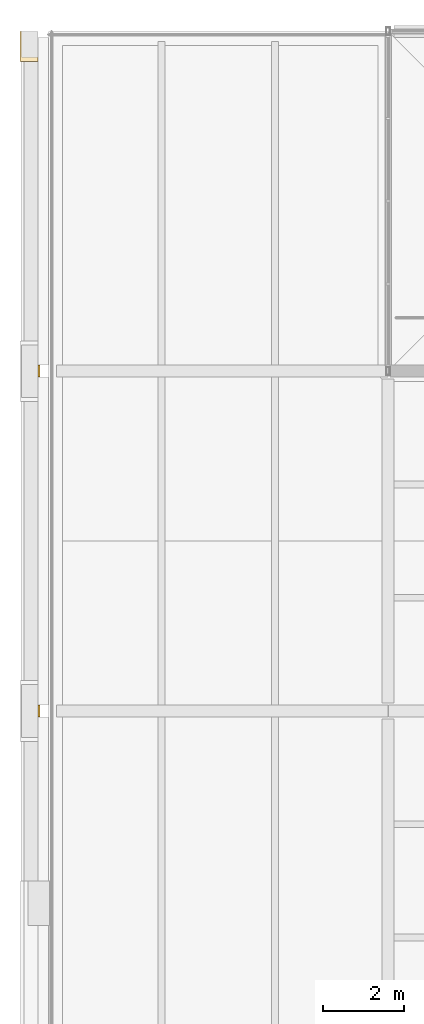
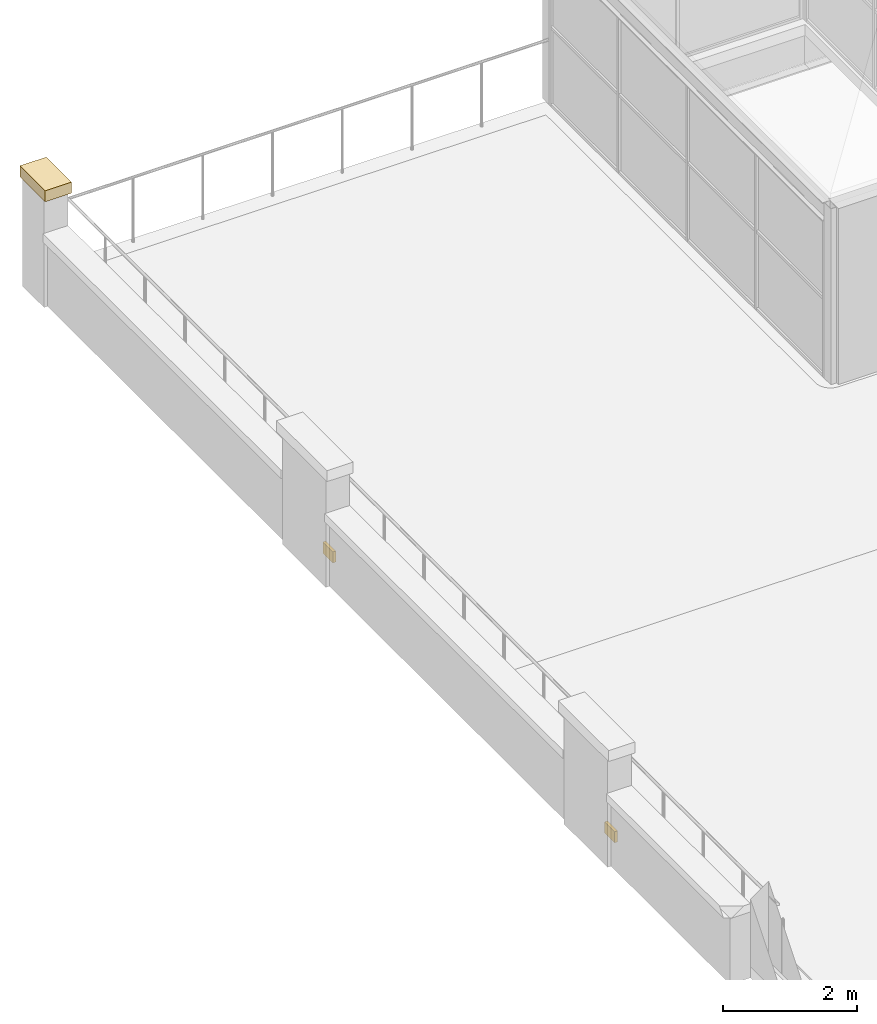
# One storey, part 57 of 58: 3 coverings.
"""IFC4 building model written with IfcOpenShell, lengths in metres."""

import ifcopenshell
import ifcopenshell.guid

model = None  # the IFC model being written
_history = None  # IfcOwnerHistory: only IFC2X3 demands one
_inside = {}  # id of a spatial element -> (the spatial element, [elements in it])
_under = {}  # id of a project, library or spatial element -> (it, [spatial elements below it])
_declared = {}  # id of a project -> (the project, [libraries it declares])
_typed = {}  # id of a type object -> (the type object, [elements of that type])
_made_of = {}  # id of a material, layer set ... -> (it, [elements and type objects made of it])


def new_model(schema):
    """Start an empty IFC model of exactly this schema.

    Asked for "IFC4X3", IfcOpenShell would pick the latest addendum, in which some entities
    have other attributes; the version numbers below select the first issue.
    IFC2X3 requires an IfcOwnerHistory on every rooted entity: one is made here for all.
    """
    global model, _history
    if schema == "IFC4X3":
        model = ifcopenshell.file(schema_version=(4, 3, 0, 0))
    else:
        model = ifcopenshell.file(schema=schema)
    _inside.clear()
    _under.clear()
    _declared.clear()
    _typed.clear()
    _made_of.clear()
    _history = None
    if model.schema == "IFC2X3":
        org = make("IfcOrganization", Name="unknown")
        user = make(
            "IfcPersonAndOrganization",
            ThePerson=make("IfcPerson", FamilyName="unknown"),
            TheOrganization=org,
        )
        app = make(
            "IfcApplication",
            ApplicationDeveloper=org,
            Version="unknown",
            ApplicationFullName="unknown",
            ApplicationIdentifier="unknown",
        )
        _history = make(
            "IfcOwnerHistory",
            OwningUser=user,
            OwningApplication=app,
            ChangeAction="ADDED",
            CreationDate=0,
        )
    return model


def make(cls, **values):
    """One entity of the class cls with the attributes given. An attribute that is None is left unset."""
    return model.create_entity(
        cls, **{name: value for name, value in values.items() if value is not None}
    )


def rooted(cls, **values):
    """An entity with a GlobalId (a new one), such as an element, a storey or a relation."""
    return make(cls, GlobalId=ifcopenshell.guid.new(), OwnerHistory=_history, **values)


def si_unit(unit_type, name, prefix=None):
    """IfcSIUnit, for example si_unit("LENGTHUNIT", "METRE", prefix="MILLI")."""
    return make("IfcSIUnit", UnitType=unit_type, Prefix=prefix, Name=name)


def assignment(units):
    """IfcUnitAssignment: the units of a project."""
    return None if units is None else make("IfcUnitAssignment", Units=units)


def point(xyz):
    """IfcCartesianPoint."""
    return None if xyz is None else make("IfcCartesianPoint", Coordinates=xyz)


def direction(xyz):
    """IfcDirection."""
    return None if xyz is None else make("IfcDirection", DirectionRatios=xyz)


def frame(location, z_axis=None, x_axis=None):
    """IfcAxis2Placement3D, a coordinate frame: its origin and axes. An axis left out is left unset."""
    return make(
        "IfcAxis2Placement3D",
        Location=point(location),
        Axis=direction(z_axis),
        RefDirection=direction(x_axis),
    )


def frame_2d(location, x_axis=None):
    """IfcAxis2Placement2D, a coordinate frame in the plane: its origin and x axis."""
    return make(
        "IfcAxis2Placement2D", Location=point(location), RefDirection=direction(x_axis)
    )


def origin():
    """The frame at (0, 0, 0) with its axes left unset."""
    return frame((0.0, 0.0, 0.0))


def origin_2d():
    """The frame at (0, 0) in the plane with its x axis left unset."""
    return frame_2d((0.0, 0.0))


def place(relative_to, where):
    """IfcLocalPlacement: puts the frame where relative to a parent placement (None: the world)."""
    return make(
        "IfcLocalPlacement", PlacementRelTo=relative_to, RelativePlacement=where
    )


def context(
    kind, dimensions, precision=None, world=None, true_north=None, identifier=None
):
    """IfcGeometricRepresentationContext, for example the 3D "Model" context."""
    return make(
        "IfcGeometricRepresentationContext",
        ContextIdentifier=identifier,
        ContextType=kind,
        CoordinateSpaceDimension=dimensions,
        Precision=precision,
        WorldCoordinateSystem=world,
        TrueNorth=true_north,
    )


def subcontext(parent, identifier, kind, view, scale=None):
    """IfcGeometricRepresentationSubContext, for example "Body" below "Model"."""
    return make(
        "IfcGeometricRepresentationSubContext",
        ContextIdentifier=identifier,
        ContextType=kind,
        ParentContext=parent,
        TargetScale=scale,
        TargetView=view,
    )


def project(units=None, contexts=None):
    """IfcProject with its units and contexts."""
    return rooted(
        "IfcProject",
        Name="project",
        RepresentationContexts=contexts,
        UnitsInContext=assignment(units),
    )


def spatial(cls, under=None, at=None, **own):
    """A site, building, storey or space (cls), placed at a placement, below another one or the project."""
    s = rooted(cls, ObjectPlacement=at, **own)
    if under is not None:
        _under.setdefault(under.id(), (under, []))[1].append(s)
    return s


def profile(cls, at=None, kind="AREA", **sizes):
    """A parametric profile (cls). Its sizes go by their IFC names, for example OverallWidth=200.0."""
    return make(cls, ProfileType=kind, Position=at, **sizes)


def rectangle(**sizes):
    """IfcRectangleProfileDef."""
    return profile("IfcRectangleProfileDef", **sizes)


def extrude(swept, where, along, depth):
    """IfcExtrudedAreaSolid: the profile swept, set in the frame where, extruded along a direction by depth."""
    return make(
        "IfcExtrudedAreaSolid",
        SweptArea=swept,
        Position=where,
        ExtrudedDirection=direction(along),
        Depth=depth,
    )


def shape(context_of_items, identifier, shape_type, items):
    """IfcShapeRepresentation: the items that make up one representation, for example the "Body"."""
    return make(
        "IfcShapeRepresentation",
        ContextOfItems=context_of_items,
        RepresentationIdentifier=identifier,
        RepresentationType=shape_type,
        Items=items,
    )


def material(Name=None, Category=None):
    """IfcMaterial."""
    return make("IfcMaterial", Name=Name, Category=Category)


def layer(
    of_material, thickness, ventilated=None, Name=None, Category=None, Priority=None
):
    """IfcMaterialLayer: one layer of a wall or slab, of a material (None: an air gap)."""
    return make(
        "IfcMaterialLayer",
        Material=of_material,
        LayerThickness=thickness,
        IsVentilated=ventilated,
        Name=Name,
        Category=Category,
        Priority=Priority,
    )


def layer_set(layers, Name=None):
    """IfcMaterialLayerSet."""
    return make("IfcMaterialLayerSet", MaterialLayers=layers, LayerSetName=Name)


def made_of(thing, what):
    """Note that an element or type object is made of a material, layer set ...; save() writes the relation."""
    if what is not None:
        _made_of.setdefault(what.id(), (what, []))[1].append(thing)
    return thing


def type_object(cls, material=None, **own):
    """A type object (cls), such as IfcWallType, which elements share."""
    return made_of(rooted(cls, **own), material)


def element(
    cls,
    number,
    at=None,
    inside=None,
    cuts=None,
    type_object=None,
    material=None,
    context=None,
    identifier="Body",
    shape_type=None,
    held_by="IfcProductDefinitionShape",
    body=None,
    shapes=None,
    **own,
):
    """One element of the class cls, such as IfcWall. Its Tag is "e" and its number.

    at: its placement. inside: the storey or other place that contains it. cuts: it is an
    opening in that element (IfcRelVoidsElement). A single representation is given by context,
    identifier, shape_type and body (its items); several are given by shapes. held_by: the class
    of the entity that holds the representations. save() writes the other relations.
    """
    e = rooted(cls, Tag="e%d" % number, ObjectPlacement=at, **own)
    if body is not None:
        shapes = [shape(context, identifier, shape_type, body)]
    if shapes is not None:
        e.Representation = make(held_by, Representations=shapes)
    if inside is not None:
        _inside.setdefault(inside.id(), (inside, []))[1].append(e)
    if cuts is not None:
        rooted(
            "IfcRelVoidsElement", RelatingBuildingElement=cuts, RelatedOpeningElement=e
        )
    if type_object is not None:
        _typed.setdefault(type_object.id(), (type_object, []))[1].append(e)
    return made_of(e, material)


def aggregate(whole, parts):
    """IfcRelAggregates: a whole, such as a stair, and the parts it consists of."""
    return rooted("IfcRelAggregates", RelatingObject=whole, RelatedObjects=parts)


def save(model, path):
    """Write the relations noted so far, then the file.

    IfcRelAggregates (storeys below a building ...), IfcRelContainedInSpatialStructure (elements
    in a storey), IfcRelDefinesByType, IfcRelAssociatesMaterial and IfcRelDeclares: one each for
    every whole, place, type object, material and project.
    """
    for whole, parts in _under.values():
        aggregate(whole, parts)
    for where, things in _inside.values():
        rooted(
            "IfcRelContainedInSpatialStructure",
            RelatedElements=things,
            RelatingStructure=where,
        )
    for kind, things in _typed.values():
        rooted("IfcRelDefinesByType", RelatedObjects=things, RelatingType=kind)
    for what, things in _made_of.values():
        rooted("IfcRelAssociatesMaterial", RelatedObjects=things, RelatingMaterial=what)
    for by, libraries in _declared.values():
        rooted("IfcRelDeclares", RelatingContext=by, RelatedDefinitions=libraries)
    model.write(path)


model = new_model("IFC4")

# Units and contexts
model_context = context("Model", 3, precision=1e-05, world=origin(), true_north=direction((0.0, 1.0)))
body_context = subcontext(model_context, "Body", "Model", "MODEL_VIEW")
ifc_project = project(units=[si_unit("LENGTHUNIT", "METRE"), si_unit("AREAUNIT", "SQUARE_METRE"), si_unit("VOLUMEUNIT", "CUBIC_METRE"), si_unit("PLANEANGLEUNIT", "RADIAN"), si_unit("MASSUNIT", "GRAM", prefix="KILO")], contexts=[model_context])

# Site, building, storey
site_placement = place(None, origin())
site = spatial("IfcSite", under=ifc_project, at=site_placement, CompositionType="ELEMENT")
building_placement = place(site_placement, origin())
building = spatial("IfcBuilding", under=site, at=building_placement, Name="Galleria Vessillo Department Store", CompositionType="ELEMENT")
storey_placement = place(building_placement, frame((0.0, 0.0, 31.199951171875)))
storey = spatial("IfcBuildingStorey", under=building, at=storey_placement, Name="L06", CompositionType="ELEMENT", Elevation=31.199951171875)

# Coverings
ifc_material_1 = material(Name="Botticino limestone ashlar", Category="masonry")
ifc_layer_1 = layer(ifc_material_1, 0.449951171875)
ifc_layer_set_1 = layer_set([ifc_layer_1], Name="Botticino limestone ashlar")
covering_type_1 = type_object("IfcCoveringType", Name="Limestone pier cap 1500 x 450 x 200", PredefinedType="MOLDING", material=ifc_layer_set_1)
covering_placement = place(storey_placement, frame((-0.47509765625, 62.625, 1.80029296875), z_axis=(0.0, 0.0, 1.0), x_axis=(1.0, 0.0, 0.0)))
element("IfcCovering", 1, at=covering_placement, inside=storey, type_object=covering_type_1, Name="Attic pier cap W y=63.0", PredefinedType="MOLDING", context=body_context, shape_type="SweptSolid", body=[
    extrude(rectangle(XDim=0.449951171875, YDim=0.75, at=origin_2d()), origin(), (0.0, 0.0, 1.0), 0.199951171875),
])
ifc_material_2 = material(Name="Botticino limestone ashlar", Category="masonry")
ifc_layer_2 = layer(ifc_material_2, 0.14990234375)
ifc_layer_set_2 = layer_set([ifc_layer_2], Name="Botticino limestone ashlar")
covering_type_2 = type_object("IfcCoveringType", Name="Limestone slab-edge fascia 150 mm", PredefinedType="CLADDING", material=ifc_layer_set_2)
for number, where, z_axis, x_axis, name in (
    (2, (-0.22509765625, 46.199951171875, -0.19970703125), (0.0, 0.0, 1.0), (1.0, 0.0, 0.0), "Joint block Slab-edge fascia SW-L05-05"),
    (3, (-0.22509765625, 54.60009765625, -0.19970703125), (0.0, 0.0, 1.0), (1.0, 0.0, 0.0), "Joint block Slab-edge fascia SW-L05-06"),
):
    element("IfcCovering", number, at=place(storey_placement, frame(where, z_axis=z_axis, x_axis=x_axis)), inside=storey, type_object=covering_type_2, Name=name, PredefinedType="CLADDING", context=body_context, shape_type="SweptSolid", body=[
        extrude(rectangle(XDim=0.050048828125, YDim=0.300048828125, at=origin_2d()), origin(), (0.0, 0.0, 1.0), 0.199951171875),
    ])

save(model, "model.ifc")
